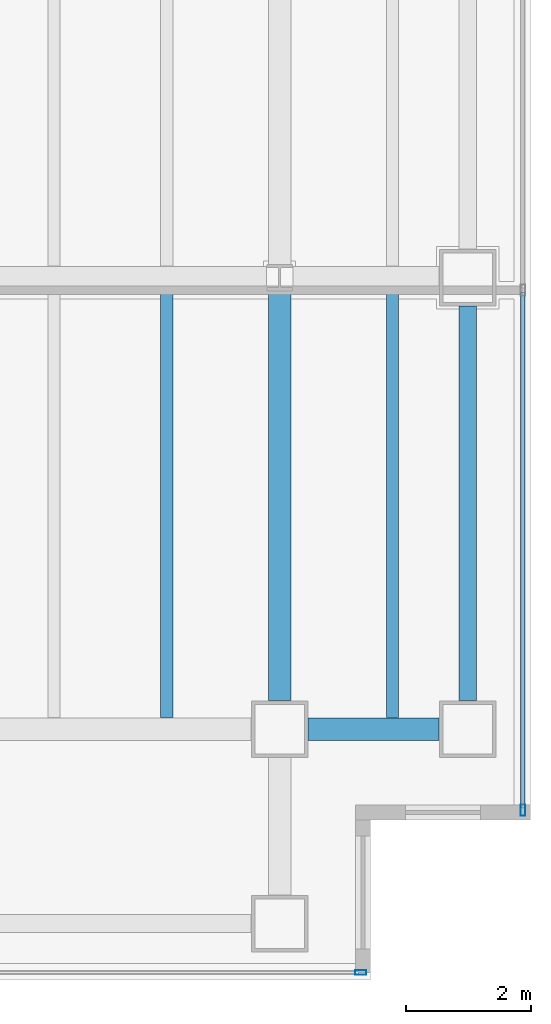
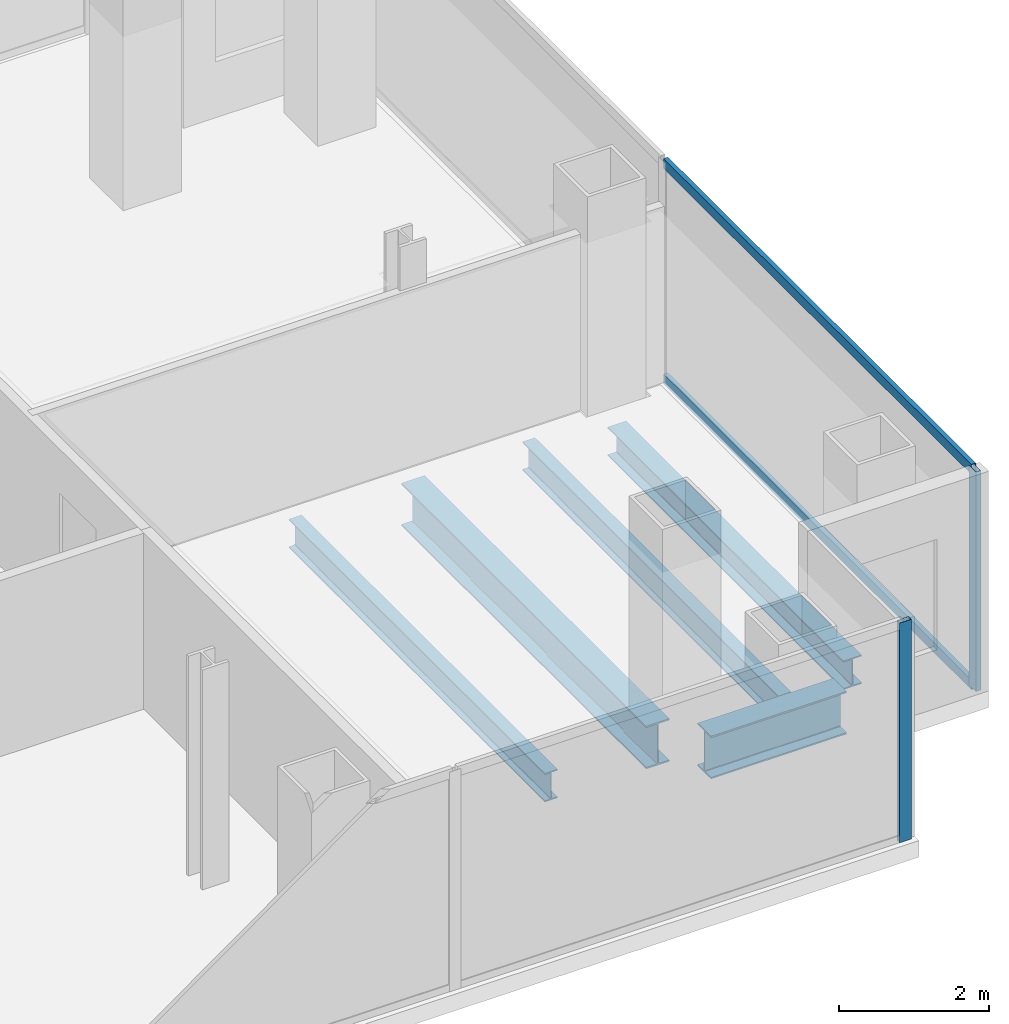
# One storey, part 11 of 23: 5 beams, 4 members, 2 elements without a shape of their own.
"""IFC4 building model written with IfcOpenShell, lengths in metres."""

from ifc_helpers import new_model, si_unit, direction, frame, origin, origin_2d, place, context, subcontext, project, spatial, hollow_rectangle, i_section, extrude, material, material_profile, profile_set, type_object, element, aggregate, save


model = new_model("IFC4")

# Units and contexts
model_context = context("Model", 3, precision=1e-05, world=origin(), true_north=direction((0.0, 1.0)))
body_context = subcontext(model_context, "Body", "Model", "MODEL_VIEW")
ifc_project = project(units=[si_unit("LENGTHUNIT", "METRE"), si_unit("AREAUNIT", "SQUARE_METRE"), si_unit("VOLUMEUNIT", "CUBIC_METRE"), si_unit("PLANEANGLEUNIT", "RADIAN"), si_unit("MASSUNIT", "GRAM", prefix="KILO")], contexts=[model_context])

# Site, building, storey
site_placement = place(None, origin())
site = spatial("IfcSite", under=ifc_project, at=site_placement, CompositionType="ELEMENT")
building_placement = place(site_placement, origin())
building = spatial("IfcBuilding", under=site, at=building_placement, Name="Cobrela Telecom Tower", CompositionType="ELEMENT")
storey_placement = place(building_placement, frame((0.0, 0.0, 129.14990234375)))
storey = spatial("IfcBuildingStorey", under=building, at=storey_placement, Name="L32", CompositionType="ELEMENT", Elevation=129.14990234375)

# Beams
ifc_material_1 = material(Name="Steel ASTM A992 Grade 50", Category="steel")
ifc_material_profile_1 = material_profile(ifc_material_1, i_section(OverallWidth=0.35595703125, OverallDepth=0.696044921875, WebThickness=0.015380859375, FlangeThickness=0.024658203125, FilletRadius=0.01806640625, at=origin_2d()), Name="W27X146")
ifc_profile_set_1 = profile_set([ifc_material_profile_1], Name="Steel ASTM A992 Grade 50")
beam_type_1 = type_object("IfcBeamType", Name="BM-GIRD-05", PredefinedType="USERDEFINED", material=ifc_profile_set_1)
beam_1_placement = place(storey_placement, frame((43.655029296875, 7.199951171875, -0.617919921875), z_axis=(1.0, 0.0, 0.0), x_axis=(0.0, 1.0, 0.0)))
element("IfcBeam", 1, at=beam_1_placement, inside=storey, type_object=beam_type_1, Name="L32 Primary Girder X12", ObjectType="GIRDER", PredefinedType="USERDEFINED", context=body_context, shape_type="SweptSolid", body=[
    extrude(i_section(OverallWidth=0.35595703125, OverallDepth=0.696044921875, WebThickness=0.015380859375, FlangeThickness=0.024658203125, FilletRadius=0.01806640625, at=origin_2d()), origin(), (0.0, 0.0, 1.0), 2.090087890625),
])
beam_2_placement = place(storey_placement, frame((43.199951171875, 7.655029296875, -0.617919921875), z_axis=(0.0, 1.0, 0.0), x_axis=(-1.0, 0.0, 0.0)))
element("IfcBeam", 2, at=beam_2_placement, inside=storey, type_object=beam_type_1, Name="L32 Primary Girder Y53", ObjectType="GIRDER", PredefinedType="USERDEFINED", context=body_context, shape_type="SweptSolid", body=[
    extrude(i_section(OverallWidth=0.35595703125, OverallDepth=0.696044921875, WebThickness=0.015380859375, FlangeThickness=0.024658203125, FilletRadius=0.01806640625, at=origin_2d()), origin(), (0.0, 0.0, 1.0), 6.535400390625),
])
ifc_material_profile_2 = material_profile(ifc_material_1, i_section(OverallWidth=0.193115234375, OverallDepth=0.467041015625, WebThickness=0.011474609375, FlangeThickness=0.01904296875, FilletRadius=0.012939453125, at=origin_2d()), Name="W18X65")
ifc_profile_set_2 = profile_set([ifc_material_profile_2], Name="Steel ASTM A992 Grade 50")
beam_type_2 = type_object("IfcBeamType", Name="BM-JOIST-03", PredefinedType="JOIST", material=ifc_profile_set_2)
for number, where, z_axis, x_axis, name in (
    (3, (41.39990234375, 7.383056640625, -0.50341796875), (0.0, 1.0, 0.0), (-1.0, 0.0, 0.0), "L32 Secondary Composite Floor Beam J37"),
    (4, (45.0, 7.383056640625, -0.50341796875), (0.0, 1.0, 0.0), (-1.0, 0.0, 0.0), "L32 Secondary Composite Floor Beam J39"),
):
    element("IfcBeam", number, at=place(storey_placement, frame(where, z_axis=z_axis, x_axis=x_axis)), inside=storey, type_object=beam_type_2, Name=name, PredefinedType="JOIST", context=body_context, shape_type="SweptSolid", body=[
        extrude(i_section(OverallWidth=0.193115234375, OverallDepth=0.467041015625, WebThickness=0.011474609375, FlangeThickness=0.01904296875, FilletRadius=0.012939453125, at=origin_2d()), origin(), (0.0, 0.0, 1.0), 6.833984375),
    ])
ifc_material_profile_3 = material_profile(ifc_material_1, i_section(OverallWidth=0.281982421875, OverallDepth=0.467041015625, WebThickness=0.01220703125, FlangeThickness=0.01953125, FilletRadius=0.012939453125, at=origin_2d()), Name="W18X86")
ifc_profile_set_3 = profile_set([ifc_material_profile_3], Name="Steel ASTM A992 Grade 50")
beam_type_3 = type_object("IfcBeamType", Name="BM-SPAND-04", PredefinedType="SPANDREL", material=ifc_profile_set_3)
beam_3_placement = place(storey_placement, frame((46.199951171875, 7.655029296875, -0.50341796875), z_axis=(0.0, 1.0, 0.0), x_axis=(-1.0, 0.0, 0.0)))
element("IfcBeam", 5, at=beam_3_placement, inside=storey, type_object=beam_type_3, Name="L32 Perimeter Spandrel Y55", PredefinedType="SPANDREL", context=body_context, shape_type="SweptSolid", body=[
    extrude(i_section(OverallWidth=0.281982421875, OverallDepth=0.467041015625, WebThickness=0.01220703125, FlangeThickness=0.01953125, FilletRadius=0.012939453125, at=origin_2d()), origin(), (0.0, 0.0, 1.0), 6.2900390625),
])

# Curtain wall, member
ifc_material_2 = material(Name="Anodized Bronze Aluminium 6063-T6", Category="aluminium")
curtain_wall_type = type_object("IfcCurtainWallType", Name="CW-SYS-TEL", PredefinedType="USERDEFINED", material=ifc_material_2)
curtain_wall_1_placement = place(storey_placement, origin())
curtain_wall_1 = element("IfcCurtainWall", 6, at=curtain_wall_1_placement, inside=storey, type_object=curtain_wall_type, Name="L32 Unitised Bronze Curtain Wall 14", ObjectType="UNITISED CURTAIN WALL", PredefinedType="USERDEFINED")
ifc_material_profile_4 = material_profile(ifc_material_2, hollow_rectangle(XDim=0.074951171875, YDim=0.179931640625, WallThickness=0.00390625, at=origin_2d()), Name="ALU 75x180x4")
ifc_profile_set_4 = profile_set([ifc_material_profile_4], Name="Anodized Bronze Aluminium 6063-T6")
member_type_1 = type_object("IfcMemberType", Name="CW-SYS-TEL-MUL", PredefinedType="MULLION", material=ifc_profile_set_4)
member_1_placement = place(storey_placement, frame((47.080078125, 5.907470703125, 0.0), z_axis=(0.0, 0.0, 1.0), x_axis=(1.0, 0.0, 0.0)))
member_1 = element("IfcMember", 7, at=member_1_placement, type_object=member_type_1, Name="CW-TEL mullion 3", PredefinedType="MULLION", context=body_context, shape_type="SweptSolid", body=[
    extrude(hollow_rectangle(XDim=0.074951171875, YDim=0.179931640625, WallThickness=0.00390625, at=origin_2d()), origin(), (0.0, 0.0, 1.0), 3.580078125),
])

curtain_wall_2_placement = place(storey_placement, origin())
curtain_wall_2 = element("IfcCurtainWall", 8, at=curtain_wall_2_placement, inside=storey, type_object=curtain_wall_type, Name="L32 Unitised Bronze Curtain Wall 17", ObjectType="UNITISED CURTAIN WALL", PredefinedType="USERDEFINED")
member_2_placement = place(storey_placement, frame((44.492431640625, 3.320068359375, 0.0), z_axis=(0.0, 0.0, 1.0), x_axis=(0.0, -1.0, 0.0)))
member_2 = element("IfcMember", 9, at=member_2_placement, type_object=member_type_1, Name="CW-TEL mullion 1", PredefinedType="MULLION", context=body_context, shape_type="SweptSolid", body=[
    extrude(hollow_rectangle(XDim=0.074951171875, YDim=0.179931640625, WallThickness=0.00390625, at=origin_2d()), origin(), (0.0, 0.0, 1.0), 3.580078125),
])
aggregate(curtain_wall_2, [member_2])

# Member
ifc_material_profile_5 = material_profile(ifc_material_2, hollow_rectangle(XDim=0.070068359375, YDim=0.159912109375, WallThickness=0.00390625, at=origin_2d()), Name="ALU 70x160x4")
ifc_profile_set_5 = profile_set([ifc_material_profile_5], Name="Anodized Bronze Aluminium 6063-T6")
member_type_2 = type_object("IfcMemberType", Name="CW-SYS-TEL-TRN", PredefinedType="USERDEFINED", material=ifc_profile_set_5)
member_3_placement = place(storey_placement, frame((47.080078125, 14.16259765625, 0.03515625), z_axis=(0.0, -1.0, 0.0), x_axis=(1.0, 0.0, 0.0)))
member_3 = element("IfcMember", 10, at=member_3_placement, type_object=member_type_2, Name="CW-TEL transom 2.1", ObjectType="TRANSOM", PredefinedType="USERDEFINED", context=body_context, shape_type="SweptSolid", body=[
    extrude(hollow_rectangle(XDim=0.070068359375, YDim=0.159912109375, WallThickness=0.00390625, at=origin_2d()), origin(), (0.0, 0.0, 1.0), 8.217529296875),
])

member_4_placement = place(storey_placement, frame((47.080078125, 14.16259765625, 3.545166015625), z_axis=(0.0, -1.0, 0.0), x_axis=(1.0, 0.0, 0.0)))
member_4 = element("IfcMember", 11, at=member_4_placement, type_object=member_type_2, Name="CW-TEL transom 2.2", ObjectType="TRANSOM", PredefinedType="USERDEFINED", context=body_context, shape_type="SweptSolid", body=[
    extrude(hollow_rectangle(XDim=0.070068359375, YDim=0.159912109375, WallThickness=0.00390625, at=origin_2d()), origin(), (0.0, 0.0, 1.0), 8.217529296875),
])

aggregate(curtain_wall_1, [member_1, member_3, member_4])

save(model, "model.ifc")
